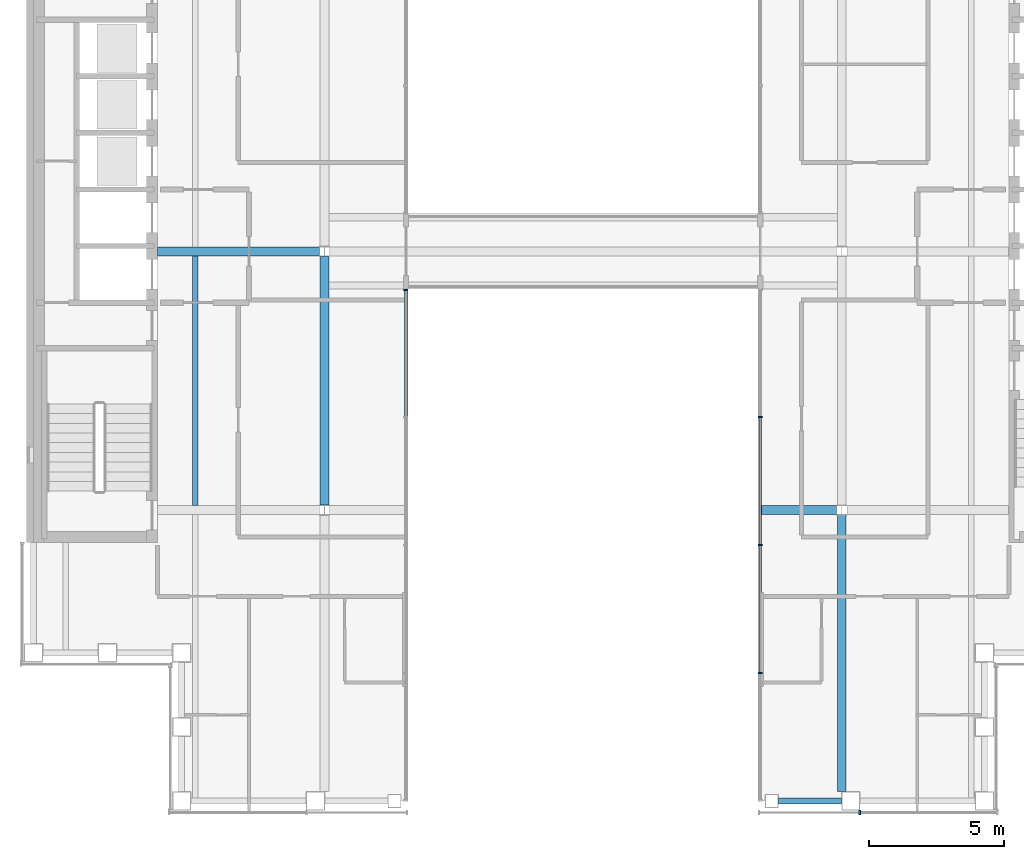
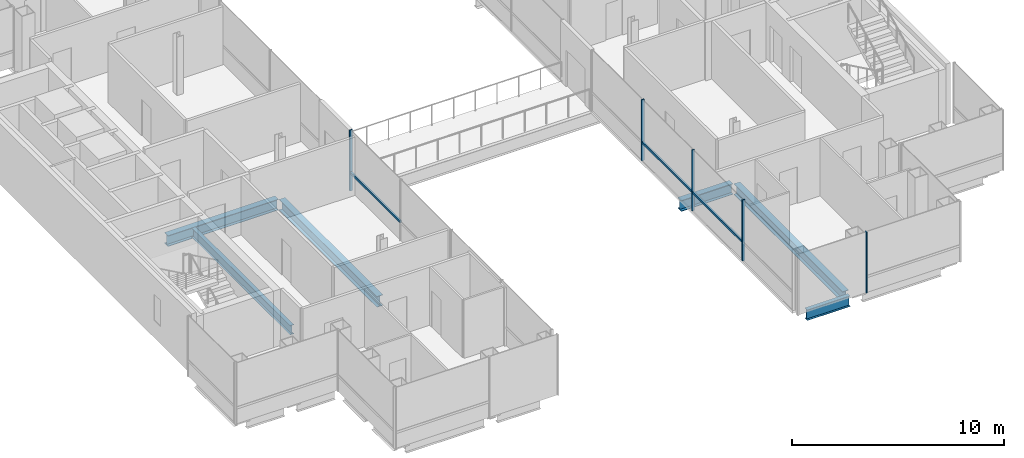
# One storey, part 4 of 15: 8 members, 6 beams, 3 elements without a shape of their own.
"""IFC4 building model written with IfcOpenShell, lengths in metres."""

from ifc_helpers import new_model, si_unit, direction, frame, origin, origin_2d, place, context, subcontext, project, spatial, rectangle, i_section, extrude, material, material_profile, profile_set, type_object, element, aggregate, save


model = new_model("IFC4")

# Units and contexts
model_context = context("Model", 3, precision=1e-05, world=origin(), true_north=direction((0.0, 1.0)))
body_context = subcontext(model_context, "Body", "Model", "MODEL_VIEW")
ifc_project = project(units=[si_unit("LENGTHUNIT", "METRE"), si_unit("AREAUNIT", "SQUARE_METRE"), si_unit("VOLUMEUNIT", "CUBIC_METRE"), si_unit("PLANEANGLEUNIT", "RADIAN"), si_unit("MASSUNIT", "GRAM", prefix="KILO")], contexts=[model_context])

# Site, building, storey
site_placement = place(None, origin())
site = spatial("IfcSite", under=ifc_project, at=site_placement, CompositionType="ELEMENT")
building_placement = place(site_placement, origin())
building = spatial("IfcBuilding", under=site, at=building_placement, Name="Cobrizo Arcos Hotel Tower", CompositionType="ELEMENT")
storey_placement = place(building_placement, frame((0.0, 0.0, 222.5)))
storey = spatial("IfcBuildingStorey", under=building, at=storey_placement, Name="L58", CompositionType="ELEMENT", Elevation=222.5)

# Curtain wall, member
ifc_material_1 = material(Name="Aluminium 6063-T6 anodised bronze", Category="aluminium")
curtain_wall_type_1 = type_object("IfcCurtainWallType", Name="CW-A guest facade", PredefinedType="NOTDEFINED", material=ifc_material_1)
curtain_wall_1_placement = place(storey_placement, origin())
curtain_wall_1 = element("IfcCurtainWall", 1, at=curtain_wall_1_placement, inside=storey, type_object=curtain_wall_type_1, Name="CW-A L58 S face", PredefinedType="NOTDEFINED")
ifc_material_profile_1 = material_profile(ifc_material_1, rectangle(XDim=0.14990234375, YDim=0.06005859375, at=origin_2d()), Name="CW-A mullion 150x60")
ifc_profile_set_1 = profile_set([ifc_material_profile_1], Name="Aluminium 6063-T6 anodised bronze")
member_type_1 = type_object("IfcMemberType", Name="CW-A mullion 150x60", PredefinedType="MULLION", material=ifc_profile_set_1)
member_1_placement = place(storey_placement, frame((10.2666015625, -20.824951171875, 0.0), z_axis=(0.0, 0.0, 1.0), x_axis=(0.0, -1.0, 0.0)))
member_1 = element("IfcMember", 2, at=member_1_placement, type_object=member_type_1, Name="CW-A mullion 2", PredefinedType="MULLION", context=body_context, shape_type="SweptSolid", body=[
    extrude(rectangle(XDim=0.14990234375, YDim=0.06005859375, at=origin_2d()), origin(), (0.0, 0.0, 1.0), 3.5),
])
aggregate(curtain_wall_1, [member_1])

# Curtain wall, members
curtain_wall_type_2 = type_object("IfcCurtainWallType", Name="CW-F void screen", PredefinedType="NOTDEFINED", material=ifc_material_1)
curtain_wall_2_placement = place(storey_placement, origin())
curtain_wall_2 = element("IfcCurtainWall", 3, at=curtain_wall_2_placement, inside=storey, type_object=curtain_wall_type_2, Name="CW-F L58 void screen C", PredefinedType="NOTDEFINED")
ifc_material_profile_2 = material_profile(ifc_material_1, rectangle(XDim=0.14990234375, YDim=0.06005859375, at=origin_2d()), Name="CW-F mullion 150x60")
ifc_profile_set_2 = profile_set([ifc_material_profile_2], Name="Aluminium 6063-T6 anodised bronze")
member_type_2 = type_object("IfcMemberType", Name="CW-F mullion 150x60", PredefinedType="MULLION", material=ifc_profile_set_2)
member_2_placement = place(storey_placement, frame((6.574951171875, -15.64990234375, 0.0), z_axis=(0.0, 0.0, 1.0), x_axis=(1.0, 0.0, 0.0)))
member_2 = element("IfcMember", 4, at=member_2_placement, type_object=member_type_2, Name="CW-F mullion 2", PredefinedType="MULLION", context=body_context, shape_type="SweptSolid", body=[
    extrude(rectangle(XDim=0.14990234375, YDim=0.06005859375, at=origin_2d()), origin(), (0.0, 0.0, 1.0), 3.5),
])
member_3_placement = place(storey_placement, frame((6.574951171875, -10.89990234375, 0.0), z_axis=(0.0, 0.0, 1.0), x_axis=(1.0, 0.0, 0.0)))
member_3 = element("IfcMember", 5, at=member_3_placement, type_object=member_type_2, Name="CW-F mullion 3", PredefinedType="MULLION", context=body_context, shape_type="SweptSolid", body=[
    extrude(rectangle(XDim=0.14990234375, YDim=0.06005859375, at=origin_2d()), origin(), (0.0, 0.0, 1.0), 3.5),
])
member_4_placement = place(storey_placement, frame((6.574951171875, -6.14990234375, 0.0), z_axis=(0.0, 0.0, 1.0), x_axis=(1.0, 0.0, 0.0)))
member_4 = element("IfcMember", 6, at=member_4_placement, type_object=member_type_2, Name="CW-F mullion 4", PredefinedType="MULLION", context=body_context, shape_type="SweptSolid", body=[
    extrude(rectangle(XDim=0.14990234375, YDim=0.06005859375, at=origin_2d()), origin(), (0.0, 0.0, 1.0), 3.5),
])

# Curtain wall, member
curtain_wall_3_placement = place(storey_placement, origin())
curtain_wall_3 = element("IfcCurtainWall", 7, at=curtain_wall_3_placement, inside=storey, type_object=curtain_wall_type_2, Name="CW-F L58 void screen C", PredefinedType="NOTDEFINED")
member_5_placement = place(storey_placement, frame((-6.574951171875, -1.429931640625, 0.0), z_axis=(0.0, 0.0, 1.0), x_axis=(-1.0, 0.0, 0.0)))
member_5 = element("IfcMember", 8, at=member_5_placement, type_object=member_type_2, Name="CW-F mullion 1", PredefinedType="MULLION", context=body_context, shape_type="SweptSolid", body=[
    extrude(rectangle(XDim=0.14990234375, YDim=0.06005859375, at=origin_2d()), origin(), (0.0, 0.0, 1.0), 3.5),
])

# Member
ifc_material_profile_3 = material_profile(ifc_material_1, rectangle(XDim=0.10009765625, YDim=0.1201171875, at=origin_2d()), Name="CW-F transom 120x100")
ifc_profile_set_3 = profile_set([ifc_material_profile_3], Name="Aluminium 6063-T6 anodised bronze")
member_type_3 = type_object("IfcMemberType", Name="CW-F transom 120x100", PredefinedType="USERDEFINED", material=ifc_profile_set_3)
member_6_placement = place(storey_placement, frame((6.574951171875, -15.6201171875, 1.050048828125), z_axis=(0.0, 1.0, 0.0), x_axis=(-1.0, 0.0, 0.0)))
member_6 = element("IfcMember", 9, at=member_6_placement, type_object=member_type_3, Name="CW-F transom 2701", ObjectType="TRANSOM", PredefinedType="USERDEFINED", context=body_context, shape_type="SweptSolid", body=[
    extrude(rectangle(XDim=0.10009765625, YDim=0.1201171875, at=origin_2d()), origin(), (0.0, 0.0, 1.0), 4.690185546875),
])

member_7_placement = place(storey_placement, frame((6.574951171875, -10.8701171875, 1.050048828125), z_axis=(0.0, 1.0, 0.0), x_axis=(-1.0, 0.0, 0.0)))
member_7 = element("IfcMember", 10, at=member_7_placement, type_object=member_type_3, Name="CW-F transom 2702", ObjectType="TRANSOM", PredefinedType="USERDEFINED", context=body_context, shape_type="SweptSolid", body=[
    extrude(rectangle(XDim=0.10009765625, YDim=0.1201171875, at=origin_2d()), origin(), (0.0, 0.0, 1.0), 4.690185546875),
])

aggregate(curtain_wall_2, [member_2, member_3, member_4, member_6, member_7])

member_8_placement = place(storey_placement, frame((-6.574951171875, -1.4599609375, 1.050048828125), z_axis=(0.0, -1.0, 0.0), x_axis=(1.0, 0.0, 0.0)))
member_8 = element("IfcMember", 11, at=member_8_placement, type_object=member_type_3, Name="CW-F transom 2712", ObjectType="TRANSOM", PredefinedType="USERDEFINED", context=body_context, shape_type="SweptSolid", body=[
    extrude(rectangle(XDim=0.10009765625, YDim=0.1201171875, at=origin_2d()), origin(), (0.0, 0.0, 1.0), 4.66015625),
])

aggregate(curtain_wall_3, [member_5, member_8])

# Beams
ifc_material_2 = material(Name="Steel ASTM A992 Grade 50", Category="steel")
ifc_material_profile_4 = material_profile(ifc_material_2, i_section(OverallWidth=0.209228515625, OverallDepth=0.533447265625, WebThickness=0.01025390625, FlangeThickness=0.015625, at=origin_2d()), Name="W21X62")
ifc_profile_set_4 = profile_set([ifc_material_profile_4], Name="Steel ASTM A992 Grade 50")
beam_type_1 = type_object("IfcBeamType", Name="W21X62 joist", PredefinedType="JOIST", material=ifc_profile_set_4)
beam_1_placement = place(storey_placement, frame((-14.39990234375, -9.43603515625, -0.416748046875), z_axis=(0.0, 1.0, 0.0), x_axis=(-1.0, 0.0, 0.0)))
element("IfcBeam", 12, at=beam_1_placement, inside=storey, type_object=beam_type_1, Name="Floor joist J1, L58, no. 004", PredefinedType="JOIST", context=body_context, shape_type="SweptSolid", body=[
    extrude(i_section(OverallWidth=0.209228515625, OverallDepth=0.533447265625, WebThickness=0.01025390625, FlangeThickness=0.015625, at=origin_2d()), origin(), (0.0, 0.0, 1.0), 9.272216796875),
])
ifc_material_profile_5 = material_profile(ifc_material_2, i_section(OverallWidth=0.32763671875, OverallDepth=0.622314453125, WebThickness=0.015380859375, FlangeThickness=0.0244140625, at=origin_2d()), Name="W24X131")
ifc_profile_set_5 = profile_set([ifc_material_profile_5], Name="Steel ASTM A992 Grade 50")
beam_type_2 = type_object("IfcBeamType", Name="W24X131 girder", PredefinedType="BEAM", material=ifc_profile_set_5)
beam_2_placement = place(storey_placement, frame((6.590087890625, -9.60009765625, -0.461181640625), z_axis=(1.0, 0.0, 0.0), x_axis=(0.0, 1.0, 0.0)))
element("IfcBeam", 13, at=beam_2_placement, inside=storey, type_object=beam_type_2, Name="Floor girder G1, L58, no. 003", PredefinedType="BEAM", context=body_context, shape_type="SweptSolid", body=[
    extrude(i_section(OverallWidth=0.32763671875, OverallDepth=0.622314453125, WebThickness=0.015380859375, FlangeThickness=0.0244140625, at=origin_2d()), origin(), (0.0, 0.0, 1.0), 2.8232421875),
])
beam_3_placement = place(storey_placement, frame((-15.7900390625, 0.0, -0.461181640625), z_axis=(1.0, 0.0, 0.0), x_axis=(0.0, 1.0, 0.0)))
element("IfcBeam", 14, at=beam_3_placement, inside=storey, type_object=beam_type_2, Name="Floor girder G1, L58, no. 005", PredefinedType="BEAM", context=body_context, shape_type="SweptSolid", body=[
    extrude(i_section(OverallWidth=0.32763671875, OverallDepth=0.622314453125, WebThickness=0.015380859375, FlangeThickness=0.0244140625, at=origin_2d()), origin(), (0.0, 0.0, 1.0), 6.00341796875),
])
beam_4_placement = place(storey_placement, frame((-9.60009765625, -9.413330078125, -0.461181640625), z_axis=(0.0, 1.0, 0.0), x_axis=(-1.0, 0.0, 0.0)))
element("IfcBeam", 15, at=beam_4_placement, inside=storey, type_object=beam_type_2, Name="Floor girder G1, L58, no. 013", PredefinedType="BEAM", context=body_context, shape_type="SweptSolid", body=[
    extrude(i_section(OverallWidth=0.32763671875, OverallDepth=0.622314453125, WebThickness=0.015380859375, FlangeThickness=0.0244140625, at=origin_2d()), origin(), (0.0, 0.0, 1.0), 9.2265625),
])
beam_5_placement = place(storey_placement, frame((9.60009765625, -20.050048828125, -0.461181640625), z_axis=(0.0, 1.0, 0.0), x_axis=(-1.0, 0.0, 0.0)))
element("IfcBeam", 16, at=beam_5_placement, inside=storey, type_object=beam_type_2, Name="Floor girder G1, L58, no. 016", PredefinedType="BEAM", context=body_context, shape_type="SweptSolid", body=[
    extrude(i_section(OverallWidth=0.32763671875, OverallDepth=0.622314453125, WebThickness=0.015380859375, FlangeThickness=0.0244140625, at=origin_2d()), origin(), (0.0, 0.0, 1.0), 10.263427734375),
])
ifc_material_profile_6 = material_profile(ifc_material_2, i_section(OverallWidth=0.228271484375, OverallDepth=0.607177734375, WebThickness=0.01123046875, FlangeThickness=0.017333984375, at=origin_2d()), Name="W24X76")
ifc_profile_set_6 = profile_set([ifc_material_profile_6], Name="Steel ASTM A992 Grade 50")
beam_type_3 = type_object("IfcBeamType", Name="W24X76 spandrel", PredefinedType="SPANDREL", material=ifc_profile_set_6)
beam_6_placement = place(storey_placement, frame((9.5830078125, -20.39990234375, -0.45361328125), z_axis=(-1.0, 0.0, 0.0), x_axis=(0.0, -1.0, 0.0)))
element("IfcBeam", 17, at=beam_6_placement, inside=storey, type_object=beam_type_3, Name="Spandrel beam W24X76, L58, no. 010", PredefinedType="SPANDREL", context=body_context, shape_type="SweptSolid", body=[
    extrude(i_section(OverallWidth=0.228271484375, OverallDepth=0.607177734375, WebThickness=0.01123046875, FlangeThickness=0.017333984375, at=origin_2d()), origin(), (0.0, 0.0, 1.0), 2.3330078125),
])

save(model, "model.ifc")
